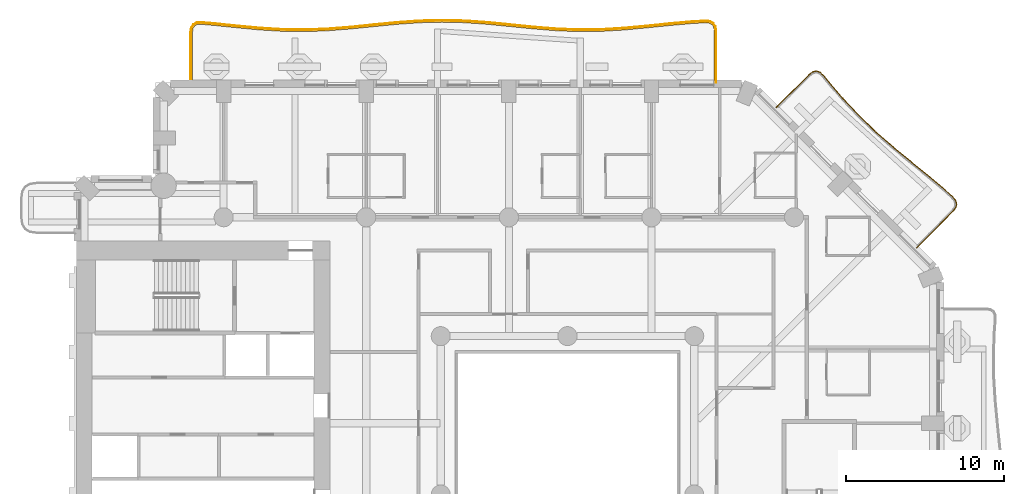
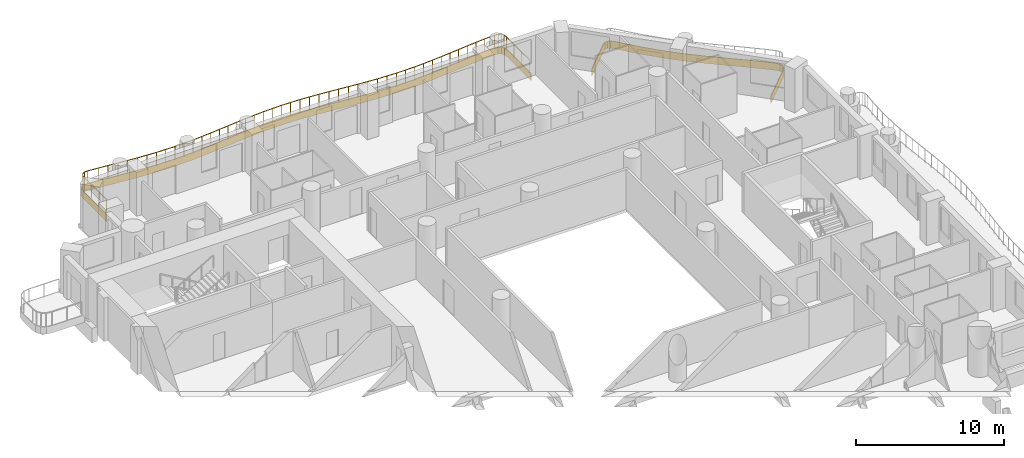
# One storey, part 18 of 20: 2 coverings, 1 railing.
"""IFC4 building model written with IfcOpenShell, lengths in metres."""

from ifc_helpers import new_model, si_unit, direction, frame, origin, origin_2d, place, context, subcontext, project, spatial, polyline, rectangle, outline, extrude, material, layer, layer_set, type_object, element, save


model = new_model("IFC4")

# Units and contexts
model_context = context("Model", 3, precision=1e-05, world=origin(), true_north=direction((0.0, 1.0)))
body_context = subcontext(model_context, "Body", "Model", "MODEL_VIEW")
ifc_project = project(units=[si_unit("LENGTHUNIT", "METRE"), si_unit("AREAUNIT", "SQUARE_METRE"), si_unit("VOLUMEUNIT", "CUBIC_METRE"), si_unit("PLANEANGLEUNIT", "RADIAN"), si_unit("MASSUNIT", "GRAM", prefix="KILO")], contexts=[model_context])

# Site, building, storey
site_placement = place(None, origin())
site = spatial("IfcSite", under=ifc_project, at=site_placement, CompositionType="ELEMENT")
building_placement = place(site_placement, origin())
building = spatial("IfcBuilding", under=site, at=building_placement, Name="Cypress Arch Tower", CompositionType="ELEMENT")
storey_placement = place(building_placement, frame((0.0, 0.0, 55.5)))
storey = spatial("IfcBuildingStorey", under=building, at=storey_placement, Name="L07", CompositionType="ELEMENT", Elevation=55.5)

# Coverings
ifc_material_1 = material(Name="White powder-coated aluminium fascia", Category="aluminium")
ifc_layer = layer(ifc_material_1, 0.050048828125)
ifc_layer_set = layer_set([ifc_layer], Name="Balcony fascia BF50")
covering_type = type_object("IfcCoveringType", Name="Balcony fascia BF50", PredefinedType="CLADDING", material=ifc_layer_set)
covering_1_placement = place(storey_placement, frame((0.0, 0.0, -0.60009765625)))
element("IfcCovering", 1, at=covering_1_placement, inside=storey, type_object=covering_type, Name="Balcony fascia L07-A07", PredefinedType="CLADDING", context=body_context, shape_type="SweptSolid", body=[
    extrude(outline(polyline([(16.239990234375, 26.52880859375), (16.47021484375, 26.700927734375), (16.70703125, 26.75390625), (16.937744140625, 26.67822265625), (17.150146484375, 26.484375), (17.63818359375, 25.890625), (18.547607421875, 24.843017578125), (19.499267578125, 23.83837890625), (20.49951171875, 22.88232421875), (21.543701171875, 21.969482421875), (22.616943359375, 21.08447265625), (23.697998046875, 20.205810546875), (24.763671875, 19.309814453125), (25.332763671875, 18.794921875), (25.5166015625, 18.573486328125), (25.5849609375, 18.337158203125), (25.528564453125, 18.09765625), (25.35595703125, 17.8671875), (23.045166015625, 15.556396484375), (23.009765625, 15.591796875), (25.318115234375, 17.900146484375), (25.482177734375, 18.119384765625), (25.533447265625, 18.3359375), (25.471435546875, 18.549560546875), (25.296630859375, 18.76025390625), (24.730712890625, 19.272216796875), (23.666015625, 20.167236328125), (22.585205078125, 21.0458984375), (21.51123046875, 21.931396484375), (20.4658203125, 22.845458984375), (19.4638671875, 23.80322265625), (18.510498046875, 24.8095703125), (17.599853515625, 25.8583984375), (17.11376953125, 26.449951171875), (16.911865234375, 26.634033203125), (16.70458984375, 26.7021484375), (16.49169921875, 26.654541015625), (16.27294921875, 26.490966796875), (14.191650390625, 24.40966796875), (14.15625, 24.445068359375), (16.239990234375, 26.52880859375)])), origin(), (0.0, 0.0, 1.0), 0.60009765625),
])
covering_2_placement = place(storey_placement, frame((0.0, 0.0, -0.60009765625)))
element("IfcCovering", 2, at=covering_2_placement, inside=storey, type_object=covering_type, Name="Balcony fascia L07-A08", PredefinedType="CLADDING", context=body_context, shape_type="SweptSolid", body=[
    extrude(outline(polyline([(-22.800048828125, 29.1728515625), (-22.757568359375, 29.4677734375), (-22.623046875, 29.680908203125), (-22.399169921875, 29.79638671875), (-22.1015625, 29.81298828125), (-21.30615234375, 29.74365234375), (-19.866943359375, 29.5947265625), (-18.4287109375, 29.459716796875), (-16.99169921875, 29.37158203125), (-15.554931640625, 29.352294921875), (-14.1181640625, 29.40625), (-12.6806640625, 29.5205078125), (-11.241943359375, 29.666748046875), (-9.802001953125, 29.80908203125), (-8.361083984375, 29.911865234375), (-6.919677734375, 29.949951171875), (-5.47802734375, 29.913818359375), (-4.037109375, 29.8125), (-2.59716796875, 29.6708984375), (-1.158447265625, 29.524169921875), (0.279052734375, 29.40869140625), (1.7158203125, 29.352783203125), (3.152587890625, 29.3701171875), (4.589599609375, 29.45654296875), (6.02783203125, 29.5908203125), (7.467041015625, 29.73974609375), (8.907470703125, 29.866455078125), (9.703369140625, 29.906982421875), (10.000732421875, 29.879638671875), (10.2236328125, 29.7568359375), (10.357421875, 29.540283203125), (10.39990234375, 29.244873046875), (10.39990234375, 26.0009765625), (10.35009765625, 26.0009765625), (10.35009765625, 29.2412109375), (10.3095703125, 29.52294921875), (10.18798828125, 29.719482421875), (9.98583984375, 29.830810546875), (9.702392578125, 29.85693359375), (8.910888671875, 29.816650390625), (7.4716796875, 29.68994140625), (6.03271484375, 29.541015625), (4.593505859375, 29.40673828125), (3.154296875, 29.320068359375), (1.71533203125, 29.302734375), (0.276123046875, 29.35888671875), (-1.1630859375, 29.474365234375), (-2.602294921875, 29.62109375), (-4.041259765625, 29.7626953125), (-5.48046875, 29.864013671875), (-6.919677734375, 29.89990234375), (-8.358642578125, 29.862060546875), (-9.7978515625, 29.75927734375), (-11.237060546875, 29.616943359375), (-12.676025390625, 29.470703125), (-14.115234375, 29.3564453125), (-15.554443359375, 29.30224609375), (-16.993408203125, 29.321533203125), (-18.4326171875, 29.409912109375), (-19.871826171875, 29.544921875), (-21.310791015625, 29.69384765625), (-22.102294921875, 29.762939453125), (-22.3857421875, 29.7470703125), (-22.588134765625, 29.642822265625), (-22.70947265625, 29.4501953125), (-22.75, 29.16943359375), (-22.75, 26.0009765625), (-22.800048828125, 26.0009765625), (-22.800048828125, 29.1728515625)])), origin(), (0.0, 0.0, 1.0), 0.60009765625),
])

# Railing
ifc_material_2 = material(Name="Powder-coated steel posts and rods, 100 mm clear between rods", Category="steel")
railing_type = type_object("IfcRailingType", Name="Balcony guard GR1100", PredefinedType="GUARDRAIL", material=ifc_material_2)
railing_placement = place(storey_placement, frame((-22.699951171875, 26.14990234375, 0.0)))
element("IfcRailing", 3, at=railing_placement, inside=storey, type_object=railing_type, Name="Balcony guard L07-A08", PredefinedType="GUARDRAIL", context=body_context, shape_type="SweptSolid", body=[
    extrude(rectangle(XDim=0.050048828125, YDim=0.050048828125, at=origin_2d()), frame((0.0, 0.0, 1.0751953125), z_axis=(0.0, 1.0, 0.0), x_axis=(-1.0, 0.0, 0.0)), (0.0, 0.0, 1.0), 3.015869140625),
    extrude(rectangle(XDim=0.050048828125, YDim=0.050048828125, at=origin_2d()), frame((0.0, 3.015869140625, 1.0751953125), z_axis=(0.142182033643, 0.989840527211, 0.0), x_axis=(-0.989840527211, 0.142182033643, 0.0)), (0.0, 0.0, 1.0), 0.26953125),
    extrude(rectangle(XDim=0.050048828125, YDim=0.050048828125, at=origin_2d()), frame((0.038330078125, 3.28271484375, 1.0751953125), z_axis=(0.534309176625, 0.845289124368, 0.0), x_axis=(-0.845289124368, 0.534309176625, 0.0)), (0.0, 0.0, 1.0), 0.203369140625),
    extrude(rectangle(XDim=0.050048828125, YDim=0.050048828125, at=origin_2d()), frame((0.14697265625, 3.45458984375, 1.0751953125), z_axis=(0.888589081018, 0.458704093174, 0.0), x_axis=(-0.458704093174, 0.888589081018, 0.0)), (0.0, 0.0, 1.0), 0.203369140625),
    extrude(rectangle(XDim=0.050048828125, YDim=0.050048828125, at=origin_2d()), frame((0.32763671875, 3.5478515625, 1.0751953125), z_axis=(0.998471484463, 0.055269292697, 0.0), x_axis=(-0.055269292697, 0.998471484463, 0.0)), (0.0, 0.0, 1.0), 0.26953125),
    extrude(rectangle(XDim=0.050048828125, YDim=0.050048828125, at=origin_2d()), frame((0.5966796875, 3.562744140625, 1.0751953125), z_axis=(0.996227830946, -0.086776199782, 0.0), x_axis=(0.086776199782, 0.996227830946, 0.0)), (0.0, 0.0, 1.0), 0.79052734375),
    extrude(rectangle(XDim=0.050048828125, YDim=0.050048828125, at=origin_2d()), frame((1.38427734375, 3.494140625, 1.0751953125), z_axis=(0.994687027697, -0.10294521325, 0.0), x_axis=(0.10294521325, 0.994687027697, 0.0)), (0.0, 0.0, 1.0), 1.446533203125),
    extrude(rectangle(XDim=0.050048828125, YDim=0.050048828125, at=origin_2d()), frame((2.8232421875, 3.34521484375, 1.0751953125), z_axis=(0.995619017982, -0.093502786229, 0.0), x_axis=(0.093502786229, 0.995619017982, 0.0)), (0.0, 0.0, 1.0), 1.446533203125),
    extrude(rectangle(XDim=0.050048828125, YDim=0.050048828125, at=origin_2d()), frame((4.263427734375, 3.2099609375, 1.0751953125), z_axis=(0.998135240894, -0.061041304754, 0.0), x_axis=(0.061041304754, 0.998135240894, 0.0)), (0.0, 0.0, 1.0), 1.44384765625),
    extrude(rectangle(XDim=0.050048828125, YDim=0.050048828125, at=origin_2d()), frame((5.70458984375, 3.121826171875, 1.0751953125), z_axis=(0.999908240636, -0.013546597672, 0.0), x_axis=(0.013546597672, 0.999908240636, 0.0)), (0.0, 0.0, 1.0), 1.44189453125),
    extrude(rectangle(XDim=0.050048828125, YDim=0.050048828125, at=origin_2d()), frame((7.146240234375, 3.102294921875, 1.0751953125), z_axis=(0.999293807627, 0.037575072035, 0.0), x_axis=(-0.037575072035, 0.999293807627, 0.0)), (0.0, 0.0, 1.0), 1.4423828125),
    extrude(rectangle(XDim=0.050048828125, YDim=0.050048828125, at=origin_2d()), frame((8.587646484375, 3.156494140625, 1.0751953125), z_axis=(0.996856504141, 0.079228215632, 0.0), x_axis=(-0.079228215632, 0.996856504141, 0.0)), (0.0, 0.0, 1.0), 1.4453125),
    extrude(rectangle(XDim=0.050048828125, YDim=0.050048828125, at=origin_2d()), frame((10.0283203125, 3.27099609375, 1.0751953125), z_axis=(0.994863655341, 0.101224044973, 0.0), x_axis=(-0.101224044973, 0.994863655341, 0.0)), (0.0, 0.0, 1.0), 1.447021484375),
    extrude(rectangle(XDim=0.050048828125, YDim=0.050048828125, at=origin_2d()), frame((11.468017578125, 3.41748046875, 1.0751953125), z_axis=(0.995171747113, 0.098148834675, 0.0), x_axis=(-0.098148834675, 0.995171747113, 0.0)), (0.0, 0.0, 1.0), 1.4453125),
    extrude(rectangle(XDim=0.050048828125, YDim=0.050048828125, at=origin_2d()), frame((12.90625, 3.559326171875, 1.0751953125), z_axis=(0.997453537688, 0.07131928318, 0.0), x_axis=(-0.07131928318, 0.997453537688, 0.0)), (0.0, 0.0, 1.0), 1.441162109375),
    extrude(rectangle(XDim=0.050048828125, YDim=0.050048828125, at=origin_2d()), frame((14.34375, 3.662109375, 1.0751953125), z_axis=(0.999648846126, 0.026498762956, 0.0), x_axis=(-0.026498762956, 0.999648846126, 0.0)), (0.0, 0.0, 1.0), 1.437255859375),
    extrude(rectangle(XDim=0.050048828125, YDim=0.050048828125, at=origin_2d()), frame((15.780517578125, 3.7001953125, 1.0751953125), z_axis=(0.999683814396, -0.025145004169, 0.0), x_axis=(0.025145004169, 0.999683814396, 0.0)), (0.0, 0.0, 1.0), 1.43701171875),
    extrude(rectangle(XDim=0.050048828125, YDim=0.050048828125, at=origin_2d()), frame((17.217041015625, 3.6640625, 1.0751953125), z_axis=(0.997537204184, -0.070139334669, 0.0), x_axis=(0.070139334669, 0.997537204184, 0.0)), (0.0, 0.0, 1.0), 1.441162109375),
    extrude(rectangle(XDim=0.050048828125, YDim=0.050048828125, at=origin_2d()), frame((18.654541015625, 3.56298828125, 1.0751953125), z_axis=(0.995188233636, -0.097981526992, 0.0), x_axis=(0.097981526992, 0.995188233636, 0.0)), (0.0, 0.0, 1.0), 1.445068359375),
    extrude(rectangle(XDim=0.050048828125, YDim=0.050048828125, at=origin_2d()), frame((20.0927734375, 3.42138671875, 1.0751953125), z_axis=(0.994846652155, -0.101391018814, 0.0), x_axis=(0.101391018814, 0.994846652155, 0.0)), (0.0, 0.0, 1.0), 1.447265625),
    extrude(rectangle(XDim=0.050048828125, YDim=0.050048828125, at=origin_2d()), frame((21.532470703125, 3.274658203125, 1.0751953125), z_axis=(0.996789445524, -0.08006747961, 0.0), x_axis=(0.08006747961, 0.996789445524, 0.0)), (0.0, 0.0, 1.0), 1.4453125),
    extrude(rectangle(XDim=0.050048828125, YDim=0.050048828125, at=origin_2d()), frame((22.97314453125, 3.158935546875, 1.0751953125), z_axis=(0.999242052715, -0.038927112487, 0.0), x_axis=(0.038927112487, 0.999242052715, 0.0)), (0.0, 0.0, 1.0), 1.4423828125),
    extrude(rectangle(XDim=0.050048828125, YDim=0.050048828125, at=origin_2d()), frame((24.41455078125, 3.102783203125, 1.0751953125), z_axis=(0.999927723051, 0.012022839684, 0.0), x_axis=(-0.012022839684, 0.999927723051, 0.0)), (0.0, 0.0, 1.0), 1.441650390625),
    extrude(rectangle(XDim=0.050048828125, YDim=0.050048828125, at=origin_2d()), frame((25.856201171875, 3.1201171875, 1.0751953125), z_axis=(0.998196546034, 0.060030454657, 0.0), x_axis=(-0.060030454657, 0.998196546034, 0.0)), (0.0, 0.0, 1.0), 1.44384765625),
    extrude(rectangle(XDim=0.050048828125, YDim=0.050048828125, at=origin_2d()), frame((27.29736328125, 3.206787109375, 1.0751953125), z_axis=(0.995666029801, 0.093000844621, 0.0), x_axis=(-0.093000844621, 0.995666029801, 0.0)), (0.0, 0.0, 1.0), 1.446533203125),
    extrude(rectangle(XDim=0.050048828125, YDim=0.050048828125, at=origin_2d()), frame((28.737548828125, 3.34130859375, 1.0751953125), z_axis=(0.994687027697, 0.10294521325, 0.0), x_axis=(-0.10294521325, 0.994687027697, 0.0)), (0.0, 0.0, 1.0), 1.446533203125),
    extrude(rectangle(XDim=0.050048828125, YDim=0.050048828125, at=origin_2d()), frame((30.176513671875, 3.490234375, 1.0751953125), z_axis=(0.996153770595, 0.087622287853, 0.0), x_axis=(-0.087622287853, 0.996153770595, 0.0)), (0.0, 0.0, 1.0), 1.443359375),
    extrude(rectangle(XDim=0.050048828125, YDim=0.050048828125, at=origin_2d()), frame((31.6142578125, 3.61669921875, 1.0751953125), z_axis=(0.998708704029, 0.050802800081, 0.0), x_axis=(-0.050802800081, 0.998708704029, 0.0)), (0.0, 0.0, 1.0), 0.7880859375),
    extrude(rectangle(XDim=0.050048828125, YDim=0.050048828125, at=origin_2d()), frame((32.4013671875, 3.65673828125, 1.0751953125), z_axis=(0.995833790845, -0.091186956369, 0.0), x_axis=(0.091186956369, 0.995833790845, 0.0)), (0.0, 0.0, 1.0), 0.2705078125),
    extrude(rectangle(XDim=0.050048828125, YDim=0.050048828125, at=origin_2d()), frame((32.670654296875, 3.632080078125, 1.0751953125), z_axis=(0.876091737736, -0.482144446271, 0.0), x_axis=(0.482144446271, 0.876091737736, 0.0)), (0.0, 0.0, 1.0), 0.20751953125),
    extrude(rectangle(XDim=0.050048828125, YDim=0.050048828125, at=origin_2d()), frame((32.8525390625, 3.531982421875, 1.0751953125), z_axis=(0.525543053659, -0.850767006148, 0.0), x_axis=(0.850767006148, 0.525543053659, 0.0)), (0.0, 0.0, 1.0), 0.207275390625),
    extrude(rectangle(XDim=0.050048828125, YDim=0.050048828125, at=origin_2d()), frame((32.96142578125, 3.355712890625, 1.0751953125), z_axis=(0.142558118867, -0.989786432896, 0.0), x_axis=(0.989786432896, 0.142558118867, 0.0)), (0.0, 0.0, 1.0), 0.2705078125),
    extrude(rectangle(XDim=0.050048828125, YDim=0.050048828125, at=origin_2d()), frame((33.0, 3.087890625, 1.0751953125), z_axis=(0.0, -1.0, 0.0), x_axis=(1.0, 0.0, 0.0)), (0.0, 0.0, 1.0), 3.087890625),
    extrude(rectangle(XDim=0.0400390625, YDim=0.0400390625, at=origin_2d()), origin(), (0.0, 0.0, 1.0), 1.050048828125),
    extrude(rectangle(XDim=0.0400390625, YDim=0.0400390625, at=origin_2d()), frame((0.0, 1.00537109375, 0.0)), (0.0, 0.0, 1.0), 1.050048828125),
    extrude(rectangle(XDim=0.0400390625, YDim=0.0400390625, at=origin_2d()), frame((0.0, 2.010498046875, 0.0)), (0.0, 0.0, 1.0), 1.050048828125),
    extrude(rectangle(XDim=0.0400390625, YDim=0.0400390625, at=origin_2d()), frame((0.0, 3.015869140625, 0.0)), (0.0, 0.0, 1.0), 1.050048828125),
    extrude(rectangle(XDim=0.0400390625, YDim=0.0400390625, at=origin_2d()), frame((0.038330078125, 3.28271484375, 0.0)), (0.0, 0.0, 1.0), 1.050048828125),
    extrude(rectangle(XDim=0.0400390625, YDim=0.0400390625, at=origin_2d()), frame((0.14697265625, 3.45458984375, 0.0)), (0.0, 0.0, 1.0), 1.050048828125),
    extrude(rectangle(XDim=0.0400390625, YDim=0.0400390625, at=origin_2d()), frame((0.32763671875, 3.5478515625, 0.0)), (0.0, 0.0, 1.0), 1.050048828125),
    extrude(rectangle(XDim=0.0400390625, YDim=0.0400390625, at=origin_2d()), frame((0.5966796875, 3.562744140625, 0.0)), (0.0, 0.0, 1.0), 1.050048828125),
    extrude(rectangle(XDim=0.0400390625, YDim=0.0400390625, at=origin_2d()), frame((1.38427734375, 3.494140625, 0.0)), (0.0, 0.0, 1.0), 1.050048828125),
    extrude(rectangle(XDim=0.0400390625, YDim=0.0400390625, at=origin_2d()), frame((2.103759765625, 3.419677734375, 0.0)), (0.0, 0.0, 1.0), 1.050048828125),
    extrude(rectangle(XDim=0.0400390625, YDim=0.0400390625, at=origin_2d()), frame((2.8232421875, 3.34521484375, 0.0)), (0.0, 0.0, 1.0), 1.050048828125),
    extrude(rectangle(XDim=0.0400390625, YDim=0.0400390625, at=origin_2d()), frame((3.54345703125, 3.277587890625, 0.0)), (0.0, 0.0, 1.0), 1.050048828125),
    extrude(rectangle(XDim=0.0400390625, YDim=0.0400390625, at=origin_2d()), frame((4.263427734375, 3.2099609375, 0.0)), (0.0, 0.0, 1.0), 1.050048828125),
    extrude(rectangle(XDim=0.0400390625, YDim=0.0400390625, at=origin_2d()), frame((4.98388671875, 3.166015625, 0.0)), (0.0, 0.0, 1.0), 1.050048828125),
    extrude(rectangle(XDim=0.0400390625, YDim=0.0400390625, at=origin_2d()), frame((5.70458984375, 3.121826171875, 0.0)), (0.0, 0.0, 1.0), 1.050048828125),
    extrude(rectangle(XDim=0.0400390625, YDim=0.0400390625, at=origin_2d()), frame((6.42529296875, 3.112060546875, 0.0)), (0.0, 0.0, 1.0), 1.050048828125),
    extrude(rectangle(XDim=0.0400390625, YDim=0.0400390625, at=origin_2d()), frame((7.146240234375, 3.102294921875, 0.0)), (0.0, 0.0, 1.0), 1.050048828125),
    extrude(rectangle(XDim=0.0400390625, YDim=0.0400390625, at=origin_2d()), frame((7.866943359375, 3.12939453125, 0.0)), (0.0, 0.0, 1.0), 1.050048828125),
    extrude(rectangle(XDim=0.0400390625, YDim=0.0400390625, at=origin_2d()), frame((8.587646484375, 3.156494140625, 0.0)), (0.0, 0.0, 1.0), 1.050048828125),
    extrude(rectangle(XDim=0.0400390625, YDim=0.0400390625, at=origin_2d()), frame((9.30810546875, 3.2138671875, 0.0)), (0.0, 0.0, 1.0), 1.050048828125),
    extrude(rectangle(XDim=0.0400390625, YDim=0.0400390625, at=origin_2d()), frame((10.0283203125, 3.27099609375, 0.0)), (0.0, 0.0, 1.0), 1.050048828125),
    extrude(rectangle(XDim=0.0400390625, YDim=0.0400390625, at=origin_2d()), frame((10.748046875, 3.34423828125, 0.0)), (0.0, 0.0, 1.0), 1.050048828125),
    extrude(rectangle(XDim=0.0400390625, YDim=0.0400390625, at=origin_2d()), frame((11.468017578125, 3.41748046875, 0.0)), (0.0, 0.0, 1.0), 1.050048828125),
    extrude(rectangle(XDim=0.0400390625, YDim=0.0400390625, at=origin_2d()), frame((12.18701171875, 3.48828125, 0.0)), (0.0, 0.0, 1.0), 1.050048828125),
    extrude(rectangle(XDim=0.0400390625, YDim=0.0400390625, at=origin_2d()), frame((12.90625, 3.559326171875, 0.0)), (0.0, 0.0, 1.0), 1.050048828125),
    extrude(rectangle(XDim=0.0400390625, YDim=0.0400390625, at=origin_2d()), frame((13.625, 3.61083984375, 0.0)), (0.0, 0.0, 1.0), 1.050048828125),
    extrude(rectangle(XDim=0.0400390625, YDim=0.0400390625, at=origin_2d()), frame((14.34375, 3.662109375, 0.0)), (0.0, 0.0, 1.0), 1.050048828125),
    extrude(rectangle(XDim=0.0400390625, YDim=0.0400390625, at=origin_2d()), frame((15.06201171875, 3.68115234375, 0.0)), (0.0, 0.0, 1.0), 1.050048828125),
    extrude(rectangle(XDim=0.0400390625, YDim=0.0400390625, at=origin_2d()), frame((15.780517578125, 3.7001953125, 0.0)), (0.0, 0.0, 1.0), 1.050048828125),
    extrude(rectangle(XDim=0.0400390625, YDim=0.0400390625, at=origin_2d()), frame((16.498779296875, 3.68212890625, 0.0)), (0.0, 0.0, 1.0), 1.050048828125),
    extrude(rectangle(XDim=0.0400390625, YDim=0.0400390625, at=origin_2d()), frame((17.217041015625, 3.6640625, 0.0)), (0.0, 0.0, 1.0), 1.050048828125),
    extrude(rectangle(XDim=0.0400390625, YDim=0.0400390625, at=origin_2d()), frame((17.935791015625, 3.613525390625, 0.0)), (0.0, 0.0, 1.0), 1.050048828125),
    extrude(rectangle(XDim=0.0400390625, YDim=0.0400390625, at=origin_2d()), frame((18.654541015625, 3.56298828125, 0.0)), (0.0, 0.0, 1.0), 1.050048828125),
    extrude(rectangle(XDim=0.0400390625, YDim=0.0400390625, at=origin_2d()), frame((19.37353515625, 3.4921875, 0.0)), (0.0, 0.0, 1.0), 1.050048828125),
    extrude(rectangle(XDim=0.0400390625, YDim=0.0400390625, at=origin_2d()), frame((20.0927734375, 3.42138671875, 0.0)), (0.0, 0.0, 1.0), 1.050048828125),
    extrude(rectangle(XDim=0.0400390625, YDim=0.0400390625, at=origin_2d()), frame((20.8125, 3.34814453125, 0.0)), (0.0, 0.0, 1.0), 1.050048828125),
    extrude(rectangle(XDim=0.0400390625, YDim=0.0400390625, at=origin_2d()), frame((21.532470703125, 3.274658203125, 0.0)), (0.0, 0.0, 1.0), 1.050048828125),
    extrude(rectangle(XDim=0.0400390625, YDim=0.0400390625, at=origin_2d()), frame((22.2529296875, 3.216796875, 0.0)), (0.0, 0.0, 1.0), 1.050048828125),
    extrude(rectangle(XDim=0.0400390625, YDim=0.0400390625, at=origin_2d()), frame((22.97314453125, 3.158935546875, 0.0)), (0.0, 0.0, 1.0), 1.050048828125),
    extrude(rectangle(XDim=0.0400390625, YDim=0.0400390625, at=origin_2d()), frame((23.69384765625, 3.130859375, 0.0)), (0.0, 0.0, 1.0), 1.050048828125),
    extrude(rectangle(XDim=0.0400390625, YDim=0.0400390625, at=origin_2d()), frame((24.41455078125, 3.102783203125, 0.0)), (0.0, 0.0, 1.0), 1.050048828125),
    extrude(rectangle(XDim=0.0400390625, YDim=0.0400390625, at=origin_2d()), frame((25.13525390625, 3.111328125, 0.0)), (0.0, 0.0, 1.0), 1.050048828125),
    extrude(rectangle(XDim=0.0400390625, YDim=0.0400390625, at=origin_2d()), frame((25.856201171875, 3.1201171875, 0.0)), (0.0, 0.0, 1.0), 1.050048828125),
    extrude(rectangle(XDim=0.0400390625, YDim=0.0400390625, at=origin_2d()), frame((26.57666015625, 3.16357421875, 0.0)), (0.0, 0.0, 1.0), 1.050048828125),
    extrude(rectangle(XDim=0.0400390625, YDim=0.0400390625, at=origin_2d()), frame((27.29736328125, 3.206787109375, 0.0)), (0.0, 0.0, 1.0), 1.050048828125),
    extrude(rectangle(XDim=0.0400390625, YDim=0.0400390625, at=origin_2d()), frame((28.017578125, 3.27392578125, 0.0)), (0.0, 0.0, 1.0), 1.050048828125),
    extrude(rectangle(XDim=0.0400390625, YDim=0.0400390625, at=origin_2d()), frame((28.737548828125, 3.34130859375, 0.0)), (0.0, 0.0, 1.0), 1.050048828125),
    extrude(rectangle(XDim=0.0400390625, YDim=0.0400390625, at=origin_2d()), frame((29.45703125, 3.415771484375, 0.0)), (0.0, 0.0, 1.0), 1.050048828125),
    extrude(rectangle(XDim=0.0400390625, YDim=0.0400390625, at=origin_2d()), frame((30.176513671875, 3.490234375, 0.0)), (0.0, 0.0, 1.0), 1.050048828125),
    extrude(rectangle(XDim=0.0400390625, YDim=0.0400390625, at=origin_2d()), frame((30.8955078125, 3.553466796875, 0.0)), (0.0, 0.0, 1.0), 1.050048828125),
    extrude(rectangle(XDim=0.0400390625, YDim=0.0400390625, at=origin_2d()), frame((31.6142578125, 3.61669921875, 0.0)), (0.0, 0.0, 1.0), 1.050048828125),
    extrude(rectangle(XDim=0.0400390625, YDim=0.0400390625, at=origin_2d()), frame((32.4013671875, 3.65673828125, 0.0)), (0.0, 0.0, 1.0), 1.050048828125),
    extrude(rectangle(XDim=0.0400390625, YDim=0.0400390625, at=origin_2d()), frame((32.670654296875, 3.632080078125, 0.0)), (0.0, 0.0, 1.0), 1.050048828125),
    extrude(rectangle(XDim=0.0400390625, YDim=0.0400390625, at=origin_2d()), frame((32.8525390625, 3.531982421875, 0.0)), (0.0, 0.0, 1.0), 1.050048828125),
    extrude(rectangle(XDim=0.0400390625, YDim=0.0400390625, at=origin_2d()), frame((32.96142578125, 3.355712890625, 0.0)), (0.0, 0.0, 1.0), 1.050048828125),
    extrude(rectangle(XDim=0.0400390625, YDim=0.0400390625, at=origin_2d()), frame((33.0, 3.087890625, 0.0)), (0.0, 0.0, 1.0), 1.050048828125),
    extrude(rectangle(XDim=0.0400390625, YDim=0.0400390625, at=origin_2d()), frame((33.0, 2.05859375, 0.0)), (0.0, 0.0, 1.0), 1.050048828125),
    extrude(rectangle(XDim=0.0400390625, YDim=0.0400390625, at=origin_2d()), frame((33.0, 1.029296875, 0.0)), (0.0, 0.0, 1.0), 1.050048828125),
    extrude(rectangle(XDim=0.0400390625, YDim=0.0400390625, at=origin_2d()), frame((33.0, 0.0, 0.0)), (0.0, 0.0, 1.0), 1.050048828125),
])

save(model, "model.ifc")
